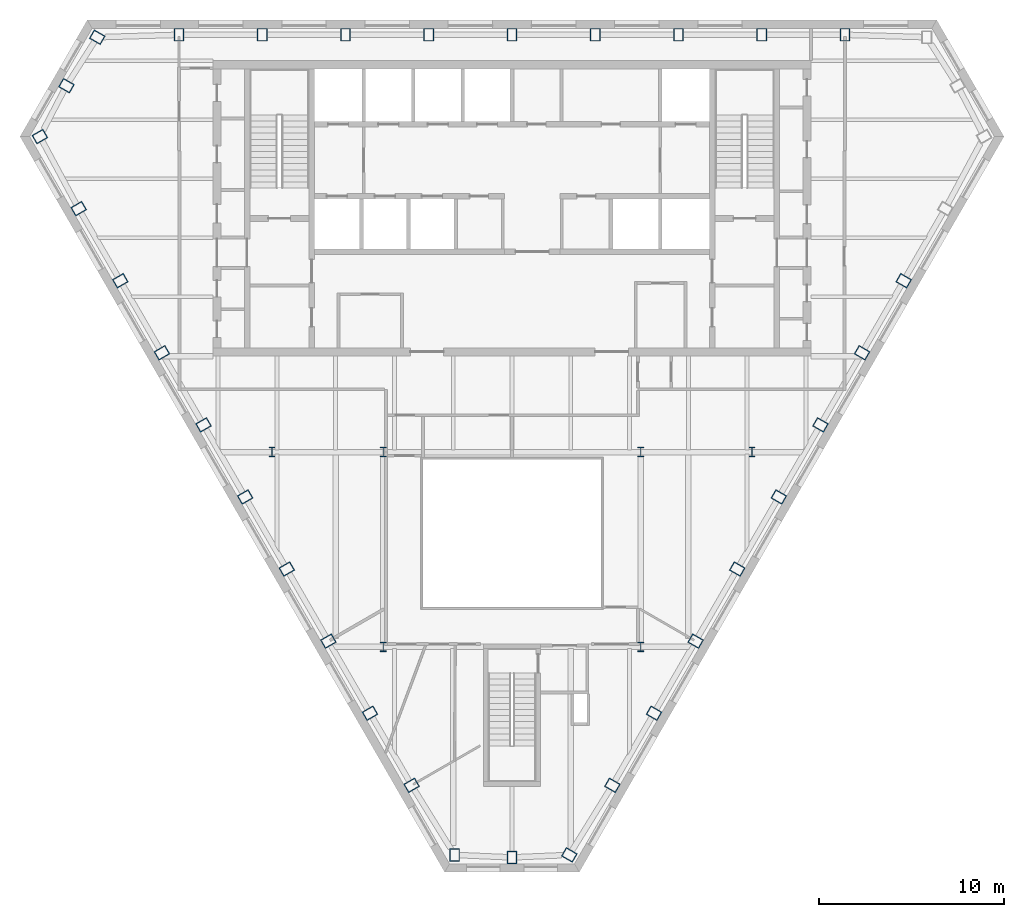
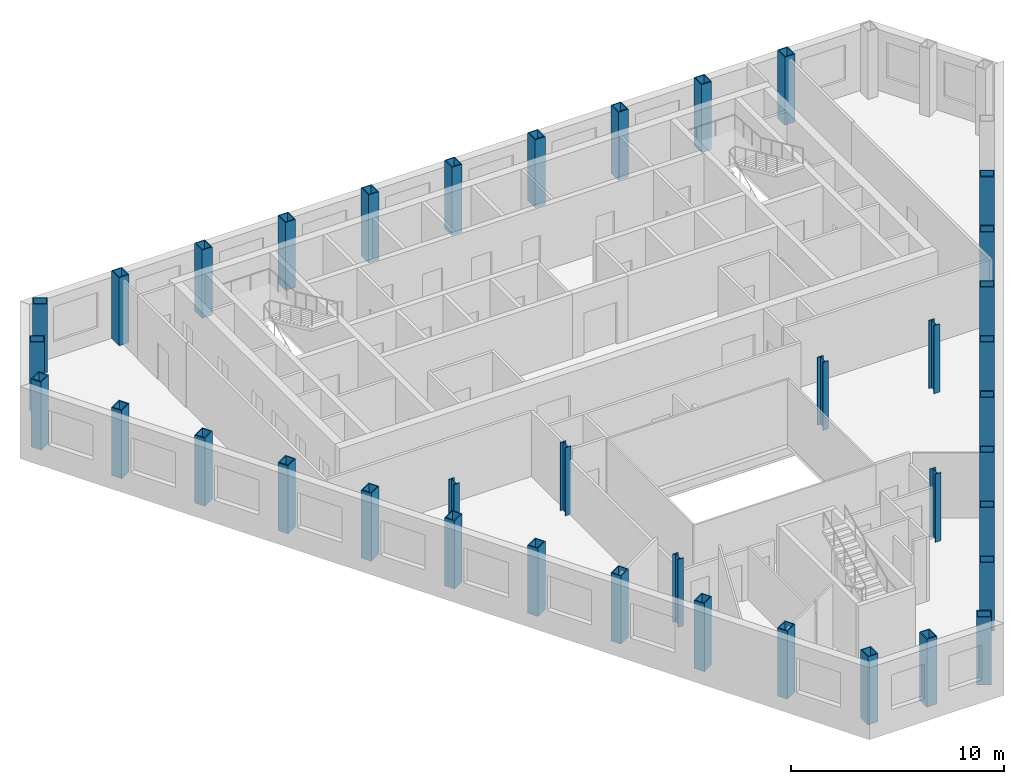
# One storey, part 1 of 11: 38 columns.
"""IFC4 building model written with IfcOpenShell, lengths in metres."""

from ifc_helpers import new_model, si_unit, direction, frame, origin, origin_2d, place, context, subcontext, project, spatial, hollow_rectangle, i_section, extrude, material, material_profile, profile_set, type_object, element, save


model = new_model("IFC4")

# Units and contexts
model_context = context("Model", 3, precision=1e-05, world=origin(), true_north=direction((0.0, 1.0)))
body_context = subcontext(model_context, "Body", "Model", "MODEL_VIEW")
ifc_project = project(units=[si_unit("LENGTHUNIT", "METRE"), si_unit("AREAUNIT", "SQUARE_METRE"), si_unit("VOLUMEUNIT", "CUBIC_METRE"), si_unit("PLANEANGLEUNIT", "RADIAN"), si_unit("MASSUNIT", "GRAM", prefix="KILO")], contexts=[model_context])

# Site, building, storey
site_placement = place(None, origin())
site = spatial("IfcSite", under=ifc_project, at=site_placement, CompositionType="ELEMENT")
building_placement = place(site_placement, origin())
building = spatial("IfcBuilding", under=site, at=building_placement, Name="Njiva Tower", CompositionType="ELEMENT")
storey_placement = place(building_placement, frame((0.0, 0.0, 212.1)))
storey = spatial("IfcBuildingStorey", under=building, at=storey_placement, Name="L47", CompositionType="ELEMENT", Elevation=212.1)

# Columns
ifc_material = material(Name="Steel S355 J2", Category="steel")
ifc_material_profile_1 = material_profile(ifc_material, hollow_rectangle(XDim=0.55, YDim=0.7, WallThickness=0.05, at=origin_2d()), Name="BOX 700x550x50")
ifc_profile_set_1 = profile_set([ifc_material_profile_1], Name="Steel S355 J2")
column_type_1 = type_object("IfcColumnType", Name="C11 Perimeter tube column BOX 700x550x50", PredefinedType="COLUMN", material=ifc_profile_set_1)
for number, where, z_axis, x_axis, name in (
    (1, (18.03, 19.4, 0.0), (0.0, 0.0, 1.0), (-1.0, 0.0, 0.0), "Perimeter tube column S15-C02"),
    (2, (13.523, 19.4, 0.0), (0.0, 0.0, 1.0), (-1.0, 0.0, 0.0), "Perimeter tube column S15-C03"),
    (3, (9.015, 19.4, 0.0), (0.0, 0.0, 1.0), (-1.0, 0.0, 0.0), "Perimeter tube column S15-C04"),
    (4, (4.508, 19.4, 0.0), (0.0, 0.0, 1.0), (-1.0, 0.0, 0.0), "Perimeter tube column S15-C05"),
    (5, (0.0, 19.4, 0.0), (0.0, 0.0, 1.0), (-1.0, 0.0, 0.0), "Perimeter tube column S15-C06"),
    (6, (-4.508, 19.4, 0.0), (0.0, 0.0, 1.0), (-1.0, 0.0, 0.0), "Perimeter tube column S15-C07"),
    (7, (-9.015, 19.4, 0.0), (0.0, 0.0, 1.0), (-1.0, 0.0, 0.0), "Perimeter tube column S15-C08"),
    (8, (-13.523, 19.4, 0.0), (0.0, 0.0, 1.0), (-1.0, 0.0, 0.0), "Perimeter tube column S15-C09"),
    (9, (-18.03, 19.4, 0.0), (0.0, 0.0, 1.0), (-1.0, 0.0, 0.0), "Perimeter tube column S15-C10"),
    (10, (-22.461, 19.267, 0.0), (0.0, 0.0, 1.0), (-0.5, -0.866025403784, 0.0), "Perimeter tube column S15-C11"),
    (11, (-24.13, 16.643, 0.0), (0.0, 0.0, 1.0), (-0.5, -0.866025403784, 0.0), "Perimeter tube column S15-C12"),
    (12, (-25.568, 13.887, 0.0), (0.0, 0.0, 1.0), (0.5, -0.866025403784, 0.0), "Perimeter tube column S15-C13"),
    (13, (-23.467, 9.983, 0.0), (0.0, 0.0, 1.0), (0.5, -0.866025403784, 0.0), "Perimeter tube column S15-C14"),
    (14, (-21.214, 6.079, 0.0), (0.0, 0.0, 1.0), (0.5, -0.866025403784, 0.0), "Perimeter tube column S15-C15"),
    (15, (-18.96, 2.176, 0.0), (0.0, 0.0, 1.0), (0.5, -0.866025403784, 0.0), "Perimeter tube column S15-C16"),
    (16, (-16.706, -1.728, 0.0), (0.0, 0.0, 1.0), (0.5, -0.866025403784, 0.0), "Perimeter tube column S15-C17"),
    (17, (-14.452, -5.632, 0.0), (0.0, 0.0, 1.0), (0.5, -0.866025403784, 0.0), "Perimeter tube column S15-C18"),
    (18, (-12.198, -9.536, 0.0), (0.0, 0.0, 1.0), (0.5, -0.866025403784, 0.0), "Perimeter tube column S15-C19"),
    (19, (-9.945, -13.439, 0.0), (0.0, 0.0, 1.0), (0.5, -0.866025403784, 0.0), "Perimeter tube column S15-C20"),
    (20, (-7.691, -17.343, 0.0), (0.0, 0.0, 1.0), (0.5, -0.866025403784, 0.0), "Perimeter tube column S15-C21"),
    (21, (-5.437, -21.247, 0.0), (0.0, 0.0, 1.0), (0.5, -0.866025403784, 0.0), "Perimeter tube column S15-C22"),
    (22, (-3.106, -25.017, 0.0), (0.0, 0.0, 1.0), (1.0, 0.0, 0.0), "Perimeter tube column S15-C23"),
    (23, (0.0, -25.15, 0.0), (0.0, 0.0, 1.0), (1.0, 0.0, 0.0), "Perimeter tube column S15-C24"),
    (24, (3.106, -25.017, 0.0), (0.0, 0.0, 1.0), (0.5, 0.866025403784, 0.0), "Perimeter tube column S15-C25"),
    (25, (5.437, -21.247, 0.0), (0.0, 0.0, 1.0), (0.5, 0.866025403784, 0.0), "Perimeter tube column S15-C26"),
    (26, (7.691, -17.343, 0.0), (0.0, 0.0, 1.0), (0.5, 0.866025403784, 0.0), "Perimeter tube column S15-C27"),
    (27, (9.945, -13.439, 0.0), (0.0, 0.0, 1.0), (0.5, 0.866025403784, 0.0), "Perimeter tube column S15-C28"),
    (28, (12.198, -9.536, 0.0), (0.0, 0.0, 1.0), (0.5, 0.866025403784, 0.0), "Perimeter tube column S15-C29"),
    (29, (14.452, -5.632, 0.0), (0.0, 0.0, 1.0), (0.5, 0.866025403784, 0.0), "Perimeter tube column S15-C30"),
    (30, (16.706, -1.728, 0.0), (0.0, 0.0, 1.0), (0.5, 0.866025403784, 0.0), "Perimeter tube column S15-C31"),
    (31, (18.96, 2.176, 0.0), (0.0, 0.0, 1.0), (0.5, 0.866025403784, 0.0), "Perimeter tube column S15-C32"),
    (32, (21.214, 6.079, 0.0), (0.0, 0.0, 1.0), (0.5, 0.866025403784, 0.0), "Perimeter tube column S15-C33"),
):
    element("IfcColumn", number, at=place(storey_placement, frame(where, z_axis=z_axis, x_axis=x_axis)), inside=storey, type_object=column_type_1, Name=name, PredefinedType="COLUMN", context=body_context, shape_type="SweptSolid", body=[
        extrude(hollow_rectangle(XDim=0.55, YDim=0.7, WallThickness=0.05, at=origin_2d()), origin(), (0.0, 0.0, 1.0), 3.9),
    ])
ifc_material_profile_2 = material_profile(ifc_material, i_section(OverallWidth=0.306, OverallDepth=0.524, WebThickness=0.021, FlangeThickness=0.04, at=origin_2d()), Name="HEM 500")
ifc_profile_set_2 = profile_set([ifc_material_profile_2], Name="Steel S355 J2")
column_type_2 = type_object("IfcColumnType", Name="C12 Interior column HEM 500", PredefinedType="COLUMN", material=ifc_profile_set_2)
for number, where, z_axis, x_axis, name in (
    (33, (6.97, -3.2, 0.0), (0.0, 0.0, 1.0), (1.0, 0.0, 0.0), "Interior column S15-C37"),
    (34, (-6.97, -3.2, 0.0), (0.0, 0.0, 1.0), (1.0, 0.0, 0.0), "Interior column S15-C38"),
    (35, (6.97, -13.75, 0.0), (0.0, 0.0, 1.0), (1.0, 0.0, 0.0), "Interior column S15-C39"),
    (36, (-6.97, -13.75, 0.0), (0.0, 0.0, 1.0), (1.0, 0.0, 0.0), "Interior column S15-C40"),
    (37, (13.0, -3.2, 0.0), (0.0, 0.0, 1.0), (1.0, 0.0, 0.0), "Interior column S15-C41"),
    (38, (-13.0, -3.2, 0.0), (0.0, 0.0, 1.0), (1.0, 0.0, 0.0), "Interior column S15-C42"),
):
    element("IfcColumn", number, at=place(storey_placement, frame(where, z_axis=z_axis, x_axis=x_axis)), inside=storey, type_object=column_type_2, Name=name, PredefinedType="COLUMN", context=body_context, shape_type="SweptSolid", body=[
        extrude(i_section(OverallWidth=0.306, OverallDepth=0.524, WebThickness=0.021, FlangeThickness=0.04, at=origin_2d()), origin(), (0.0, 0.0, 1.0), 3.9),
    ])

save(model, "model.ifc")
